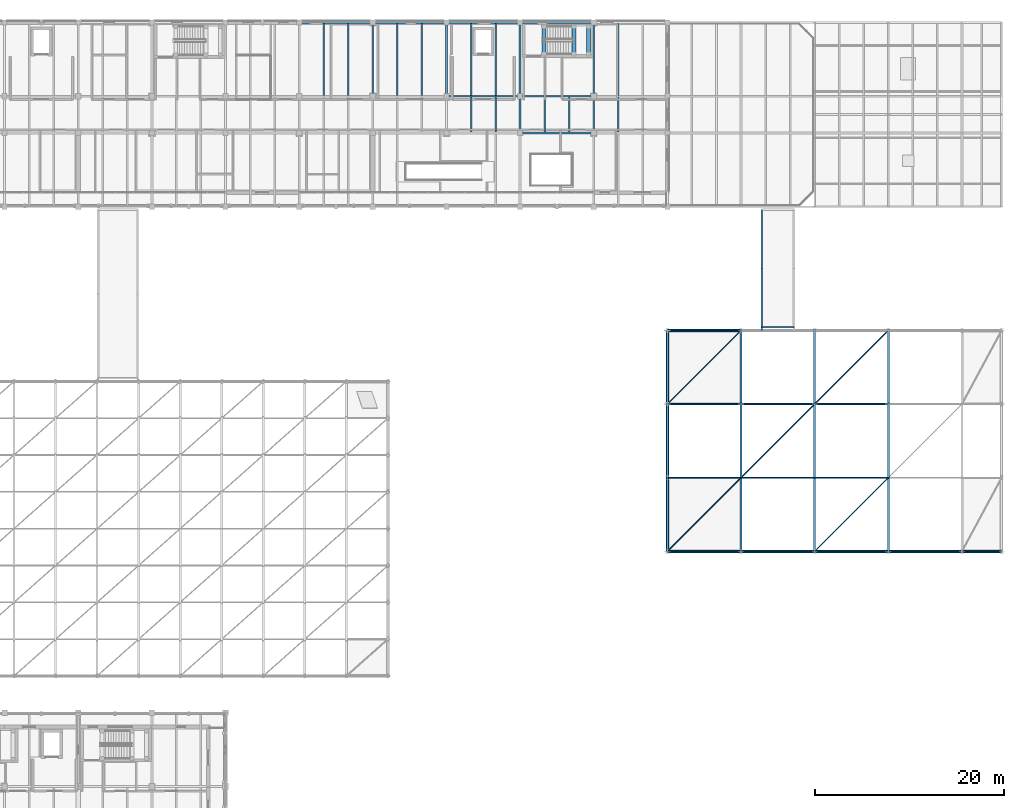
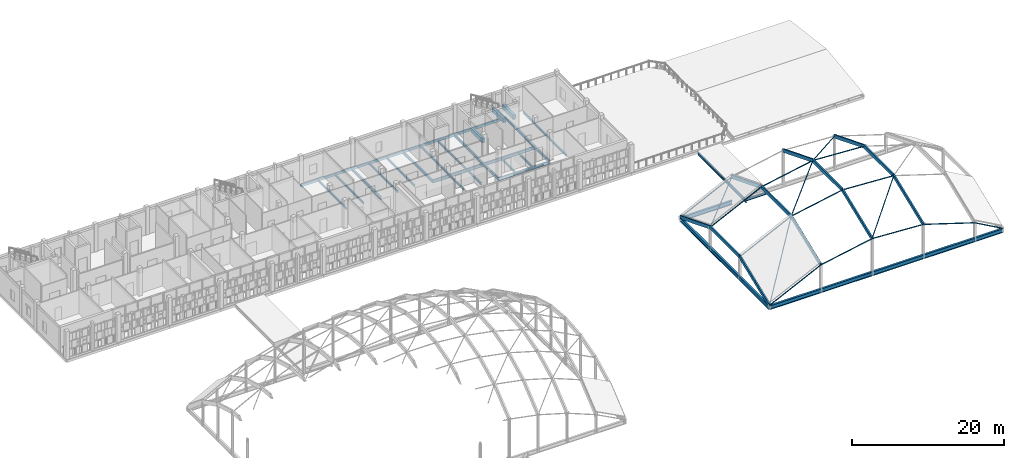
# One storey, part 59 of 119: 40 beams, 29 members.
"""IFC4 building model written with IfcOpenShell, lengths in metres."""

from ifc_helpers import new_model, si_unit, direction, frame, origin, origin_2d, place, context, subcontext, project, spatial, rectangle, hollow_rectangle, hollow_circle, i_section, extrude, material, material_profile, profile_set, type_object, element, save


model = new_model("IFC4")

# Units and contexts
model_context = context("Model", 3, precision=1e-05, world=origin(), true_north=direction((0.0, 1.0)))
body_context = subcontext(model_context, "Body", "Model", "MODEL_VIEW")
ifc_project = project(units=[si_unit("LENGTHUNIT", "METRE"), si_unit("AREAUNIT", "SQUARE_METRE"), si_unit("VOLUMEUNIT", "CUBIC_METRE"), si_unit("PLANEANGLEUNIT", "RADIAN"), si_unit("MASSUNIT", "GRAM", prefix="KILO")], contexts=[model_context])

# Site, building, storey
site_placement = place(None, origin())
site = spatial("IfcSite", under=ifc_project, at=site_placement, CompositionType="ELEMENT")
building_placement = place(site_placement, origin())
building = spatial("IfcBuilding", under=site, at=building_placement, Name="Celorna Specialist Clinic", CompositionType="ELEMENT")
storey_placement = place(building_placement, frame((0.0, 0.0, 9.60009765625)))
storey = spatial("IfcBuildingStorey", under=building, at=storey_placement, Name="L02", CompositionType="ELEMENT", Elevation=9.60009765625)

# Beams
ifc_material_1 = material(Name="Steel S355", Category="steel")
ifc_material_profile_1 = material_profile(ifc_material_1, i_section(OverallWidth=0.300048828125, OverallDepth=0.64990234375, WebThickness=0.01611328125, FlangeThickness=0.031005859375, at=origin_2d()), Name="HE 650 B")
ifc_profile_set_1 = profile_set([ifc_material_profile_1], Name="Steel S355")
beam_type_1 = type_object("IfcBeamType", Name="BM-03", PredefinedType="BEAM", material=ifc_profile_set_1)
beam_1_placement = place(storey_placement, frame((132.60009765625, 60.0, 0.27490234375), z_axis=(1.0, 0.0, 0.0), x_axis=(0.0, 1.0, 0.0)))
element("IfcBeam", 1, at=beam_1_placement, inside=storey, type_object=beam_type_1, Name="GSH-V3 gridshell perimeter edge ring beam", PredefinedType="BEAM", context=body_context, shape_type="SweptSolid", body=[
    extrude(i_section(OverallWidth=0.300048828125, OverallDepth=0.64990234375, WebThickness=0.01611328125, FlangeThickness=0.031005859375, at=origin_2d()), origin(), (0.0, 0.0, 1.0), 7.7998046875),
])
for number, where, z_axis, x_axis, name in (
    (2, (140.39990234375, 60.0, 0.27490234375), (1.0, 0.0, 0.0), (0.0, 1.0, 0.0), "GSH-V3 gridshell perimeter edge ring beam"),
    (3, (148.199951171875, 60.0, 0.27490234375), (1.0, 0.0, 0.0), (0.0, 1.0, 0.0), "GSH-V3 gridshell perimeter edge ring beam"),
    (4, (156.0, 60.0, 0.27490234375), (1.0, 0.0, 0.0), (0.0, 1.0, 0.0), "GSH-V3 gridshell perimeter edge ring beam"),
):
    element("IfcBeam", number, at=place(storey_placement, frame(where, z_axis=z_axis, x_axis=x_axis)), inside=storey, type_object=beam_type_1, Name=name, PredefinedType="BEAM", context=body_context, shape_type="SweptSolid", body=[
        extrude(i_section(OverallWidth=0.300048828125, OverallDepth=0.64990234375, WebThickness=0.01611328125, FlangeThickness=0.031005859375, at=origin_2d()), origin(), (0.0, 0.0, 1.0), 7.800048828125),
    ])
beam_2_placement = place(storey_placement, frame((163.800048828125, 60.0, 0.27490234375), z_axis=(1.0, 0.0, 0.0), x_axis=(0.0, 1.0, 0.0)))
element("IfcBeam", 5, at=beam_2_placement, inside=storey, type_object=beam_type_1, Name="GSH-V3 gridshell perimeter edge ring beam", PredefinedType="BEAM", context=body_context, shape_type="SweptSolid", body=[
    extrude(i_section(OverallWidth=0.300048828125, OverallDepth=0.64990234375, WebThickness=0.01611328125, FlangeThickness=0.031005859375, at=origin_2d()), origin(), (0.0, 0.0, 1.0), 4.199951171875),
])
beam_3_placement = place(storey_placement, frame((132.60009765625, 83.39990234375, 0.27490234375), z_axis=(1.0, 0.0, 0.0), x_axis=(0.0, 1.0, 0.0)))
element("IfcBeam", 6, at=beam_3_placement, inside=storey, type_object=beam_type_1, Name="GSH-V3 gridshell perimeter edge ring beam", PredefinedType="BEAM", context=body_context, shape_type="SweptSolid", body=[
    extrude(i_section(OverallWidth=0.300048828125, OverallDepth=0.64990234375, WebThickness=0.01611328125, FlangeThickness=0.031005859375, at=origin_2d()), origin(), (0.0, 0.0, 1.0), 7.7998046875),
])
for number, where, z_axis, x_axis, name in (
    (7, (132.60009765625, 60.0, 0.27490234375), (0.0, 1.0, 0.0), (-1.0, 0.0, 0.0), "GSH-V3 gridshell perimeter edge ring beam"),
    (8, (132.60009765625, 67.800048828125, 0.27490234375), (0.0, 1.0, 0.0), (-1.0, 0.0, 0.0), "GSH-V3 gridshell perimeter edge ring beam"),
):
    element("IfcBeam", number, at=place(storey_placement, frame(where, z_axis=z_axis, x_axis=x_axis)), inside=storey, type_object=beam_type_1, Name=name, PredefinedType="BEAM", context=body_context, shape_type="SweptSolid", body=[
        extrude(i_section(OverallWidth=0.300048828125, OverallDepth=0.64990234375, WebThickness=0.01611328125, FlangeThickness=0.031005859375, at=origin_2d()), origin(), (0.0, 0.0, 1.0), 7.800048828125),
    ])
beam_4_placement = place(storey_placement, frame((132.60009765625, 75.60009765625, 0.27490234375), z_axis=(0.0, 1.0, 0.0), x_axis=(-1.0, 0.0, 0.0)))
element("IfcBeam", 9, at=beam_4_placement, inside=storey, type_object=beam_type_1, Name="GSH-V3 gridshell perimeter edge ring beam", PredefinedType="BEAM", context=body_context, shape_type="SweptSolid", body=[
    extrude(i_section(OverallWidth=0.300048828125, OverallDepth=0.64990234375, WebThickness=0.01611328125, FlangeThickness=0.031005859375, at=origin_2d()), origin(), (0.0, 0.0, 1.0), 7.7998046875),
])
ifc_material_profile_2 = material_profile(ifc_material_1, i_section(OverallWidth=0.199951171875, OverallDepth=0.5, WebThickness=0.01025390625, FlangeThickness=0.01611328125, at=origin_2d()), Name="IPE 500")
ifc_profile_set_2 = profile_set([ifc_material_profile_2], Name="Steel S355")
beam_type_2 = type_object("IfcBeamType", Name="BM-08", PredefinedType="BEAM", material=ifc_profile_set_2)
for number, where, z_axis, x_axis, name in (
    (10, (117.0, 104.300048828125, -0.510009765625), (1.0, 0.0, 0.0), (0.0, 1.0, 0.0), "Primary girder BM-08 #1086"),
    (11, (109.199951171875, 108.199951171875, -0.510009765625), (1.0, 0.0, 0.0), (0.0, 1.0, 0.0), "Primary girder BM-08 #1096"),
    (12, (117.0, 108.199951171875, -0.510009765625), (1.0, 0.0, 0.0), (0.0, 1.0, 0.0), "Primary girder BM-08 #1097"),
):
    element("IfcBeam", number, at=place(storey_placement, frame(where, z_axis=z_axis, x_axis=x_axis)), inside=storey, type_object=beam_type_2, Name=name, PredefinedType="BEAM", context=body_context, shape_type="SweptSolid", body=[
        extrude(i_section(OverallWidth=0.199951171875, OverallDepth=0.5, WebThickness=0.01025390625, FlangeThickness=0.01611328125, at=origin_2d()), origin(), (0.0, 0.0, 1.0), 7.800048828125),
    ])
ifc_material_profile_3 = material_profile(ifc_material_1, i_section(OverallWidth=0.18994140625, OverallDepth=0.449951171875, WebThickness=0.009521484375, FlangeThickness=0.0146484375, at=origin_2d()), Name="IPE 450")
ifc_profile_set_3 = profile_set([ifc_material_profile_3], Name="Steel S355")
beam_type_3 = type_object("IfcBeamType", Name="BM-09", PredefinedType="BEAM", material=ifc_profile_set_3)
beam_5_placement = place(storey_placement, frame((142.60009765625, 83.39990234375, -0.364990234375), z_axis=(0.0, 1.0, 0.0), x_axis=(-1.0, 0.0, 0.0)))
element("IfcBeam", 13, at=beam_5_placement, inside=storey, type_object=beam_type_3, Name="Bridge BR-05 edge girder BM-09 #122", PredefinedType="BEAM", context=body_context, shape_type="SweptSolid", body=[
    extrude(i_section(OverallWidth=0.18994140625, OverallDepth=0.449951171875, WebThickness=0.009521484375, FlangeThickness=0.0146484375, at=origin_2d()), origin(), (0.0, 0.0, 1.0), 6.550048828125),
])
beam_6_placement = place(storey_placement, frame((142.60009765625, 89.949951171875, -0.364990234375), z_axis=(0.0, 1.0, 0.0), x_axis=(-1.0, 0.0, 0.0)))
element("IfcBeam", 14, at=beam_6_placement, inside=storey, type_object=beam_type_3, Name="Bridge BR-05 edge girder BM-09 #123", PredefinedType="BEAM", context=body_context, shape_type="SweptSolid", body=[
    extrude(i_section(OverallWidth=0.18994140625, OverallDepth=0.449951171875, WebThickness=0.009521484375, FlangeThickness=0.0146484375, at=origin_2d()), origin(), (0.0, 0.0, 1.0), 6.25),
])
for number, where, z_axis, x_axis, name in (
    (15, (101.39990234375, 108.199951171875, -0.485107421875), (0.0, 1.0, 0.0), (-1.0, 0.0, 0.0), "Transverse girder BM-09 #1133"),
    (16, (109.199951171875, 108.199951171875, -0.485107421875), (0.0, 1.0, 0.0), (-1.0, 0.0, 0.0), "Transverse girder BM-09 #1135"),
):
    element("IfcBeam", number, at=place(storey_placement, frame(where, z_axis=z_axis, x_axis=x_axis)), inside=storey, type_object=beam_type_3, Name=name, PredefinedType="BEAM", context=body_context, shape_type="SweptSolid", body=[
        extrude(i_section(OverallWidth=0.18994140625, OverallDepth=0.449951171875, WebThickness=0.009521484375, FlangeThickness=0.0146484375, at=origin_2d()), origin(), (0.0, 0.0, 1.0), 7.800048828125),
    ])
beam_7_placement = place(storey_placement, frame((117.0, 104.300048828125, -0.485107421875), z_axis=(0.0, 1.0, 0.0), x_axis=(-1.0, 0.0, 0.0)))
element("IfcBeam", 17, at=beam_7_placement, inside=storey, type_object=beam_type_3, Name="Transverse girder BM-09 #1137", PredefinedType="BEAM", context=body_context, shape_type="SweptSolid", body=[
    extrude(i_section(OverallWidth=0.18994140625, OverallDepth=0.449951171875, WebThickness=0.009521484375, FlangeThickness=0.0146484375, at=origin_2d()), origin(), (0.0, 0.0, 1.0), 3.89990234375),
])
beam_8_placement = place(storey_placement, frame((117.0, 108.199951171875, -0.485107421875), z_axis=(0.0, 1.0, 0.0), x_axis=(-1.0, 0.0, 0.0)))
element("IfcBeam", 18, at=beam_8_placement, inside=storey, type_object=beam_type_3, Name="Transverse girder BM-09 #1138", PredefinedType="BEAM", context=body_context, shape_type="SweptSolid", body=[
    extrude(i_section(OverallWidth=0.18994140625, OverallDepth=0.449951171875, WebThickness=0.009521484375, FlangeThickness=0.0146484375, at=origin_2d()), origin(), (0.0, 0.0, 1.0), 7.800048828125),
])
beam_9_placement = place(storey_placement, frame((124.800048828125, 104.300048828125, -0.485107421875), z_axis=(0.0, 1.0, 0.0), x_axis=(-1.0, 0.0, 0.0)))
element("IfcBeam", 19, at=beam_9_placement, inside=storey, type_object=beam_type_3, Name="Transverse girder BM-09 #1140", PredefinedType="BEAM", context=body_context, shape_type="SweptSolid", body=[
    extrude(i_section(OverallWidth=0.18994140625, OverallDepth=0.449951171875, WebThickness=0.009521484375, FlangeThickness=0.0146484375, at=origin_2d()), origin(), (0.0, 0.0, 1.0), 3.89990234375),
])
beam_10_placement = place(storey_placement, frame((124.800048828125, 108.199951171875, -0.485107421875), z_axis=(0.0, 1.0, 0.0), x_axis=(-1.0, 0.0, 0.0)))
element("IfcBeam", 20, at=beam_10_placement, inside=storey, type_object=beam_type_3, Name="Transverse girder BM-09 #1141", PredefinedType="BEAM", context=body_context, shape_type="SweptSolid", body=[
    extrude(i_section(OverallWidth=0.18994140625, OverallDepth=0.449951171875, WebThickness=0.009521484375, FlangeThickness=0.0146484375, at=origin_2d()), origin(), (0.0, 0.0, 1.0), 7.800048828125),
])
ifc_material_profile_4 = material_profile(ifc_material_1, i_section(OverallWidth=0.179931640625, OverallDepth=0.39990234375, WebThickness=0.008544921875, FlangeThickness=0.013427734375, at=origin_2d()), Name="IPE 400")
ifc_profile_set_4 = profile_set([ifc_material_profile_4], Name="Steel S355")
beam_type_4 = type_object("IfcBeamType", Name="BM-10", PredefinedType="BEAM", material=ifc_profile_set_4)
beam_11_placement = place(storey_placement, frame((142.60009765625, 83.719970703125, -0.340087890625), z_axis=(1.0, 0.0, 0.0), x_axis=(0.0, 1.0, 0.0)))
element("IfcBeam", 21, at=beam_11_placement, inside=storey, type_object=beam_type_4, Name="Bridge BR-05 transverse beam BM-10 #126", PredefinedType="BEAM", context=body_context, shape_type="SweptSolid", body=[
    extrude(i_section(OverallWidth=0.179931640625, OverallDepth=0.39990234375, WebThickness=0.008544921875, FlangeThickness=0.013427734375, at=origin_2d()), origin(), (0.0, 0.0, 1.0), 3.39990234375),
])
ifc_material_profile_5 = material_profile(ifc_material_1, i_section(OverallWidth=0.159912109375, OverallDepth=0.330078125, WebThickness=0.007568359375, FlangeThickness=0.011474609375, at=origin_2d()), Name="IPE 330")
ifc_profile_set_5 = profile_set([ifc_material_profile_5], Name="Steel S355")
beam_type_5 = type_object("IfcBeamType", Name="BM-12", PredefinedType="JOIST", material=ifc_profile_set_5)
for number, where, z_axis, x_axis, name in (
    (22, (96.199951171875, 108.2880859375, -0.425048828125), (0.0, 1.0, 0.0), (-1.0, 0.0, 0.0), "Secondary floor joist BM-12 #1181"),
    (23, (98.800048828125, 108.2880859375, -0.425048828125), (0.0, 1.0, 0.0), (-1.0, 0.0, 0.0), "Secondary floor joist BM-12 #1182"),
    (24, (104.0, 108.2880859375, -0.425048828125), (0.0, 1.0, 0.0), (-1.0, 0.0, 0.0), "Secondary floor joist BM-12 #1186"),
    (25, (106.60009765625, 108.2880859375, -0.425048828125), (0.0, 1.0, 0.0), (-1.0, 0.0, 0.0), "Secondary floor joist BM-12 #1187"),
):
    element("IfcBeam", number, at=place(storey_placement, frame(where, z_axis=z_axis, x_axis=x_axis)), inside=storey, type_object=beam_type_5, Name=name, PredefinedType="JOIST", context=body_context, shape_type="SweptSolid", body=[
        extrude(i_section(OverallWidth=0.159912109375, OverallDepth=0.330078125, WebThickness=0.007568359375, FlangeThickness=0.011474609375, at=origin_2d()), origin(), (0.0, 0.0, 1.0), 7.6240234375),
    ])
for number, where, z_axis, x_axis, name in (
    (26, (111.800048828125, 104.387939453125, -0.425048828125), (0.0, 1.0, 0.0), (-1.0, 0.0, 0.0), "Secondary floor joist BM-12 #1189"),
    (27, (114.39990234375, 104.387939453125, -0.425048828125), (0.0, 1.0, 0.0), (-1.0, 0.0, 0.0), "Secondary floor joist BM-12 #1190"),
):
    element("IfcBeam", number, at=place(storey_placement, frame(where, z_axis=z_axis, x_axis=x_axis)), inside=storey, type_object=beam_type_5, Name=name, PredefinedType="JOIST", context=body_context, shape_type="SweptSolid", body=[
        extrude(i_section(OverallWidth=0.159912109375, OverallDepth=0.330078125, WebThickness=0.007568359375, FlangeThickness=0.011474609375, at=origin_2d()), origin(), (0.0, 0.0, 1.0), 3.72412109375),
    ])
for number, where, z_axis, x_axis, name in (
    (28, (111.800048828125, 108.2880859375, -0.425048828125), (0.0, 1.0, 0.0), (-1.0, 0.0, 0.0), "Secondary floor joist BM-12 #1191"),
    (29, (114.39990234375, 108.2880859375, -0.425048828125), (0.0, 1.0, 0.0), (-1.0, 0.0, 0.0), "Secondary floor joist BM-12 #1192"),
):
    element("IfcBeam", number, at=place(storey_placement, frame(where, z_axis=z_axis, x_axis=x_axis)), inside=storey, type_object=beam_type_5, Name=name, PredefinedType="JOIST", context=body_context, shape_type="SweptSolid", body=[
        extrude(i_section(OverallWidth=0.159912109375, OverallDepth=0.330078125, WebThickness=0.007568359375, FlangeThickness=0.011474609375, at=origin_2d()), origin(), (0.0, 0.0, 1.0), 7.6240234375),
    ])
for number, where, z_axis, x_axis, name in (
    (30, (119.60009765625, 104.387939453125, -0.425048828125), (0.0, 1.0, 0.0), (-1.0, 0.0, 0.0), "Secondary floor joist BM-12 #1193"),
    (31, (122.199951171875, 104.387939453125, -0.425048828125), (0.0, 1.0, 0.0), (-1.0, 0.0, 0.0), "Secondary floor joist BM-12 #1194"),
    (32, (127.39990234375, 104.387939453125, -0.425048828125), (0.0, 1.0, 0.0), (-1.0, 0.0, 0.0), "Secondary floor joist BM-12 #1197"),
):
    element("IfcBeam", number, at=place(storey_placement, frame(where, z_axis=z_axis, x_axis=x_axis)), inside=storey, type_object=beam_type_5, Name=name, PredefinedType="JOIST", context=body_context, shape_type="SweptSolid", body=[
        extrude(i_section(OverallWidth=0.159912109375, OverallDepth=0.330078125, WebThickness=0.007568359375, FlangeThickness=0.011474609375, at=origin_2d()), origin(), (0.0, 0.0, 1.0), 3.72412109375),
    ])
beam_12_placement = place(storey_placement, frame((127.39990234375, 108.2880859375, -0.425048828125), z_axis=(0.0, 1.0, 0.0), x_axis=(-1.0, 0.0, 0.0)))
element("IfcBeam", 33, at=beam_12_placement, inside=storey, type_object=beam_type_5, Name="Secondary floor joist BM-12 #1199", PredefinedType="JOIST", context=body_context, shape_type="SweptSolid", body=[
    extrude(i_section(OverallWidth=0.159912109375, OverallDepth=0.330078125, WebThickness=0.007568359375, FlangeThickness=0.011474609375, at=origin_2d()), origin(), (0.0, 0.0, 1.0), 7.6240234375),
])
ifc_material_profile_6 = material_profile(ifc_material_1, hollow_rectangle(XDim=0.199951171875, YDim=0.39990234375, WallThickness=0.011962890625, at=origin_2d()), Name="RHS 200x400x12")
ifc_profile_set_6 = profile_set([ifc_material_profile_6], Name="Steel S355")
beam_type_6 = type_object("IfcBeamType", Name="BM-15", PredefinedType="SPANDREL", material=ifc_profile_set_6)
beam_13_placement = place(storey_placement, frame((93.60009765625, 116.0, -0.460205078125), z_axis=(1.0, 0.0, 0.0), x_axis=(0.0, 1.0, 0.0)))
element("IfcBeam", 34, at=beam_13_placement, inside=storey, type_object=beam_type_6, Name="Spandrel beam BM-15 #1105", PredefinedType="SPANDREL", context=body_context, shape_type="SweptSolid", body=[
    extrude(hollow_rectangle(XDim=0.199951171875, YDim=0.39990234375, WallThickness=0.011962890625, at=origin_2d()), origin(), (0.0, 0.0, 1.0), 7.7998046875),
])
for number, where, z_axis, x_axis, name in (
    (35, (101.39990234375, 116.0, -0.460205078125), (1.0, 0.0, 0.0), (0.0, 1.0, 0.0), "Spandrel beam BM-15 #1106"),
    (36, (109.199951171875, 116.0, -0.460205078125), (1.0, 0.0, 0.0), (0.0, 1.0, 0.0), "Spandrel beam BM-15 #1107"),
    (37, (117.0, 116.0, -0.460205078125), (1.0, 0.0, 0.0), (0.0, 1.0, 0.0), "Spandrel beam BM-15 #1108"),
):
    element("IfcBeam", number, at=place(storey_placement, frame(where, z_axis=z_axis, x_axis=x_axis)), inside=storey, type_object=beam_type_6, Name=name, PredefinedType="SPANDREL", context=body_context, shape_type="SweptSolid", body=[
        extrude(hollow_rectangle(XDim=0.199951171875, YDim=0.39990234375, WallThickness=0.011962890625, at=origin_2d()), origin(), (0.0, 0.0, 1.0), 7.800048828125),
    ])
ifc_material_2 = material(Name="Concrete C35/45", Category="concrete")
ifc_material_profile_7 = material_profile(ifc_material_2, rectangle(XDim=0.39990234375, YDim=0.699951171875, at=origin_2d()), Name="RC 400x700")
ifc_profile_set_7 = profile_set([ifc_material_profile_7], Name="Concrete C35/45")
beam_type_7 = type_object("IfcBeamType", Name="BM-19", PredefinedType="BEAM", material=ifc_profile_set_7)
for number, where, z_axis, x_axis, name in (
    (38, (119.52001953125, 112.669921875, -0.275146484375), (0.0, 1.0, 0.0), (-1.0, 0.0, 0.0), "Stair ST-03 floor landing trimmer beam L02"),
    (39, (122.719970703125, 112.669921875, 1.824951171875), (0.0, 1.0, 0.0), (-1.0, 0.0, 0.0), "Stair ST-03 half-landing beam L02"),
    (40, (124.239990234375, 112.669921875, 1.824951171875), (0.0, 1.0, 0.0), (-1.0, 0.0, 0.0), "Stair ST-03 half-landing beam L02"),
):
    element("IfcBeam", number, at=place(storey_placement, frame(where, z_axis=z_axis, x_axis=x_axis)), inside=storey, type_object=beam_type_7, Name=name, PredefinedType="BEAM", context=body_context, shape_type="SweptSolid", body=[
        extrude(rectangle(XDim=0.39990234375, YDim=0.699951171875, at=origin_2d()), origin(), (0.0, 0.0, 1.0), 2.900146484375),
    ])

# Members
ifc_material_3 = material(Name="Glulam GL28h", Category="wood")
ifc_material_profile_8 = material_profile(ifc_material_3, rectangle(XDim=0.219970703125, YDim=0.52001953125, at=origin_2d()), Name="GL28h 220x520")
ifc_profile_set_8 = profile_set([ifc_material_profile_8], Name="Glulam GL28h")
member_type_1 = type_object("IfcMemberType", Name="MB-02", PredefinedType="RAFTER", material=ifc_profile_set_8)
member_1_placement = place(storey_placement, frame((132.60009765625, 60.0, 0.599853515625), z_axis=(0.0, 0.92906313659, 0.369921191917), x_axis=(-1.0, 0.0, 0.0)))
element("IfcMember", 41, at=member_1_placement, inside=storey, type_object=member_type_1, Name="GSH-V3 glulam gridshell arch rib WP-233-WP-245", PredefinedType="RAFTER", context=body_context, shape_type="SweptSolid", body=[
    extrude(rectangle(XDim=0.219970703125, YDim=0.52001953125, at=origin_2d()), origin(), (0.0, 0.0, 1.0), 8.3955078125),
])
member_2_placement = place(storey_placement, frame((132.60009765625, 67.800048828125, 3.70556640625), z_axis=(0.0, 1.0, 0.0), x_axis=(-1.0, 0.0, 0.0)))
element("IfcMember", 42, at=member_2_placement, inside=storey, type_object=member_type_1, Name="GSH-V3 glulam gridshell arch rib WP-245-WP-246", PredefinedType="RAFTER", context=body_context, shape_type="SweptSolid", body=[
    extrude(rectangle(XDim=0.219970703125, YDim=0.52001953125, at=origin_2d()), origin(), (0.0, 0.0, 1.0), 7.800048828125),
])
member_3_placement = place(storey_placement, frame((132.60009765625, 75.60009765625, 3.70556640625), z_axis=(0.0, 0.929059157132, -0.369931186236), x_axis=(-1.0, 0.0, 0.0)))
element("IfcMember", 43, at=member_3_placement, inside=storey, type_object=member_type_1, Name="GSH-V3 glulam gridshell arch rib WP-246-WP-239", PredefinedType="RAFTER", context=body_context, shape_type="SweptSolid", body=[
    extrude(rectangle(XDim=0.219970703125, YDim=0.52001953125, at=origin_2d()), origin(), (0.0, 0.0, 1.0), 8.395263671875),
])
member_4_placement = place(storey_placement, frame((140.39990234375, 60.0, 4.368408203125), z_axis=(0.0, 0.92906313659, 0.369921191917), x_axis=(-1.0, 0.0, 0.0)))
element("IfcMember", 44, at=member_4_placement, inside=storey, type_object=member_type_1, Name="GSH-V3 glulam gridshell arch rib WP-234-WP-247", PredefinedType="RAFTER", context=body_context, shape_type="SweptSolid", body=[
    extrude(rectangle(XDim=0.219970703125, YDim=0.52001953125, at=origin_2d()), origin(), (0.0, 0.0, 1.0), 8.3955078125),
])
member_5_placement = place(storey_placement, frame((140.39990234375, 67.800048828125, 7.47412109375), z_axis=(0.0, 1.0, 0.0), x_axis=(-1.0, 0.0, 0.0)))
element("IfcMember", 45, at=member_5_placement, inside=storey, type_object=member_type_1, Name="GSH-V3 glulam gridshell arch rib WP-247-WP-248", PredefinedType="RAFTER", context=body_context, shape_type="SweptSolid", body=[
    extrude(rectangle(XDim=0.219970703125, YDim=0.52001953125, at=origin_2d()), origin(), (0.0, 0.0, 1.0), 7.800048828125),
])
member_6_placement = place(storey_placement, frame((140.39990234375, 75.60009765625, 7.47412109375), z_axis=(0.0, 0.929059157132, -0.369931186236), x_axis=(-1.0, 0.0, 0.0)))
element("IfcMember", 46, at=member_6_placement, inside=storey, type_object=member_type_1, Name="GSH-V3 glulam gridshell arch rib WP-248-WP-240", PredefinedType="RAFTER", context=body_context, shape_type="SweptSolid", body=[
    extrude(rectangle(XDim=0.219970703125, YDim=0.52001953125, at=origin_2d()), origin(), (0.0, 0.0, 1.0), 8.395263671875),
])
member_7_placement = place(storey_placement, frame((148.199951171875, 60.0, 5.86865234375), z_axis=(0.0, 0.92906313659, 0.369921191917), x_axis=(-1.0, 0.0, 0.0)))
element("IfcMember", 47, at=member_7_placement, inside=storey, type_object=member_type_1, Name="GSH-V3 glulam gridshell arch rib WP-235-WP-249", PredefinedType="RAFTER", context=body_context, shape_type="SweptSolid", body=[
    extrude(rectangle(XDim=0.219970703125, YDim=0.52001953125, at=origin_2d()), origin(), (0.0, 0.0, 1.0), 8.3955078125),
])
member_8_placement = place(storey_placement, frame((148.199951171875, 67.800048828125, 8.974365234375), z_axis=(0.0, 1.0, 0.0), x_axis=(-1.0, 0.0, 0.0)))
element("IfcMember", 48, at=member_8_placement, inside=storey, type_object=member_type_1, Name="GSH-V3 glulam gridshell arch rib WP-249-WP-250", PredefinedType="RAFTER", context=body_context, shape_type="SweptSolid", body=[
    extrude(rectangle(XDim=0.219970703125, YDim=0.52001953125, at=origin_2d()), origin(), (0.0, 0.0, 1.0), 7.800048828125),
])
member_9_placement = place(storey_placement, frame((148.199951171875, 75.60009765625, 8.974365234375), z_axis=(0.0, 0.929059157132, -0.369931186236), x_axis=(-1.0, 0.0, 0.0)))
element("IfcMember", 49, at=member_9_placement, inside=storey, type_object=member_type_1, Name="GSH-V3 glulam gridshell arch rib WP-250-WP-241", PredefinedType="RAFTER", context=body_context, shape_type="SweptSolid", body=[
    extrude(rectangle(XDim=0.219970703125, YDim=0.52001953125, at=origin_2d()), origin(), (0.0, 0.0, 1.0), 8.395263671875),
])
member_10_placement = place(storey_placement, frame((156.0, 60.0, 5.426025390625), z_axis=(0.0, 0.92906313659, 0.369921191917), x_axis=(-1.0, 0.0, 0.0)))
element("IfcMember", 50, at=member_10_placement, inside=storey, type_object=member_type_1, Name="GSH-V3 glulam gridshell arch rib WP-236-WP-251", PredefinedType="RAFTER", context=body_context, shape_type="SweptSolid", body=[
    extrude(rectangle(XDim=0.219970703125, YDim=0.52001953125, at=origin_2d()), origin(), (0.0, 0.0, 1.0), 8.3955078125),
])
member_11_placement = place(storey_placement, frame((156.0, 67.800048828125, 8.53173828125), z_axis=(0.0, 1.0, 0.0), x_axis=(-1.0, 0.0, 0.0)))
element("IfcMember", 51, at=member_11_placement, inside=storey, type_object=member_type_1, Name="GSH-V3 glulam gridshell arch rib WP-251-WP-252", PredefinedType="RAFTER", context=body_context, shape_type="SweptSolid", body=[
    extrude(rectangle(XDim=0.219970703125, YDim=0.52001953125, at=origin_2d()), origin(), (0.0, 0.0, 1.0), 7.800048828125),
])
member_12_placement = place(storey_placement, frame((156.0, 75.60009765625, 8.53173828125), z_axis=(0.0, 0.929059157132, -0.369931186236), x_axis=(-1.0, 0.0, 0.0)))
element("IfcMember", 52, at=member_12_placement, inside=storey, type_object=member_type_1, Name="GSH-V3 glulam gridshell arch rib WP-252-WP-242", PredefinedType="RAFTER", context=body_context, shape_type="SweptSolid", body=[
    extrude(rectangle(XDim=0.219970703125, YDim=0.52001953125, at=origin_2d()), origin(), (0.0, 0.0, 1.0), 8.395263671875),
])
ifc_material_profile_9 = material_profile(ifc_material_1, hollow_circle(Radius=0.084228515625, WallThickness=0.010009765625, at=origin_2d()), Name="CHS 168.3x10")
ifc_profile_set_9 = profile_set([ifc_material_profile_9], Name="Steel S355")
member_type_2 = type_object("IfcMemberType", Name="MB-03", PredefinedType="PURLIN", material=ifc_profile_set_9)
member_13_placement = place(storey_placement, frame((132.60009765625, 60.0, 0.599853515625), z_axis=(0.90041004548, 0.0, 0.435042239327), x_axis=(0.0, 1.0, 0.0)))
element("IfcMember", 53, at=member_13_placement, inside=storey, type_object=member_type_2, Name="GSH-V3 gridshell edge arch chord WP-233-WP-234", PredefinedType="PURLIN", context=body_context, shape_type="SweptSolid", body=[
    extrude(hollow_circle(Radius=0.084228515625, WallThickness=0.010009765625, at=origin_2d()), origin(), (0.0, 0.0, 1.0), 8.66259765625),
])
member_14_placement = place(storey_placement, frame((140.39990234375, 60.0, 4.368408203125), z_axis=(0.982000965733, 0.0, 0.188875893907), x_axis=(0.0, 1.0, 0.0)))
element("IfcMember", 54, at=member_14_placement, inside=storey, type_object=member_type_2, Name="GSH-V3 gridshell edge arch chord WP-234-WP-235", PredefinedType="PURLIN", context=body_context, shape_type="SweptSolid", body=[
    extrude(hollow_circle(Radius=0.084228515625, WallThickness=0.010009765625, at=origin_2d()), origin(), (0.0, 0.0, 1.0), 7.943115234375),
])
member_15_placement = place(storey_placement, frame((148.199951171875, 60.0, 5.86865234375), z_axis=(0.99839378478, 0.0, -0.05665554264), x_axis=(0.0, 1.0, 0.0)))
element("IfcMember", 55, at=member_15_placement, inside=storey, type_object=member_type_2, Name="GSH-V3 gridshell edge arch chord WP-235-WP-236", PredefinedType="PURLIN", context=body_context, shape_type="SweptSolid", body=[
    extrude(hollow_circle(Radius=0.084228515625, WallThickness=0.010009765625, at=origin_2d()), origin(), (0.0, 0.0, 1.0), 7.8125),
])
member_16_placement = place(storey_placement, frame((156.0, 60.0, 5.426025390625), z_axis=(0.953206314855, 0.0, -0.302320560532), x_axis=(0.0, 1.0, 0.0)))
element("IfcMember", 56, at=member_16_placement, inside=storey, type_object=member_type_2, Name="GSH-V3 gridshell edge arch chord WP-236-WP-237", PredefinedType="PURLIN", context=body_context, shape_type="SweptSolid", body=[
    extrude(hollow_circle(Radius=0.084228515625, WallThickness=0.010009765625, at=origin_2d()), origin(), (0.0, 0.0, 1.0), 8.182861328125),
])
member_17_placement = place(storey_placement, frame((163.800048828125, 60.0, 2.9521484375), z_axis=(0.872477474798, 0.0, -0.488654331784), x_axis=(0.0, 1.0, 0.0)))
element("IfcMember", 57, at=member_17_placement, inside=storey, type_object=member_type_2, Name="GSH-V3 gridshell edge arch chord WP-237-WP-238", PredefinedType="PURLIN", context=body_context, shape_type="SweptSolid", body=[
    extrude(hollow_circle(Radius=0.084228515625, WallThickness=0.010009765625, at=origin_2d()), origin(), (0.0, 0.0, 1.0), 4.813720703125),
])
for number, where, z_axis, x_axis, name in (
    (58, (132.60009765625, 83.39990234375, 0.599853515625), (0.90041004548, 0.0, 0.435042239327), (0.0, 1.0, 0.0), "GSH-V3 gridshell edge arch chord WP-239-WP-240"),
    (59, (132.60009765625, 67.800048828125, 3.70556640625), (0.90041004548, 0.0, 0.435042239327), (0.0, 1.0, 0.0), "GSH-V3 gridshell steel purlin WP-245-WP-247"),
):
    element("IfcMember", number, at=place(storey_placement, frame(where, z_axis=z_axis, x_axis=x_axis)), inside=storey, type_object=member_type_2, Name=name, PredefinedType="PURLIN", context=body_context, shape_type="SweptSolid", body=[
        extrude(hollow_circle(Radius=0.084228515625, WallThickness=0.010009765625, at=origin_2d()), origin(), (0.0, 0.0, 1.0), 8.66259765625),
    ])
member_18_placement = place(storey_placement, frame((140.39990234375, 67.800048828125, 7.47412109375), z_axis=(0.982000965733, 0.0, 0.188875893907), x_axis=(0.0, 1.0, 0.0)))
element("IfcMember", 60, at=member_18_placement, inside=storey, type_object=member_type_2, Name="GSH-V3 gridshell steel purlin WP-247-WP-249", PredefinedType="PURLIN", context=body_context, shape_type="SweptSolid", body=[
    extrude(hollow_circle(Radius=0.084228515625, WallThickness=0.010009765625, at=origin_2d()), origin(), (0.0, 0.0, 1.0), 7.943115234375),
])
member_19_placement = place(storey_placement, frame((148.199951171875, 67.800048828125, 8.974365234375), z_axis=(0.99839378478, 0.0, -0.05665554264), x_axis=(0.0, 1.0, 0.0)))
element("IfcMember", 61, at=member_19_placement, inside=storey, type_object=member_type_2, Name="GSH-V3 gridshell steel purlin WP-249-WP-251", PredefinedType="PURLIN", context=body_context, shape_type="SweptSolid", body=[
    extrude(hollow_circle(Radius=0.084228515625, WallThickness=0.010009765625, at=origin_2d()), origin(), (0.0, 0.0, 1.0), 7.8125),
])
member_20_placement = place(storey_placement, frame((132.60009765625, 75.60009765625, 3.70556640625), z_axis=(0.90041004548, 0.0, 0.435042239327), x_axis=(0.0, 1.0, 0.0)))
element("IfcMember", 62, at=member_20_placement, inside=storey, type_object=member_type_2, Name="GSH-V3 gridshell steel purlin WP-246-WP-248", PredefinedType="PURLIN", context=body_context, shape_type="SweptSolid", body=[
    extrude(hollow_circle(Radius=0.084228515625, WallThickness=0.010009765625, at=origin_2d()), origin(), (0.0, 0.0, 1.0), 8.66259765625),
])
member_21_placement = place(storey_placement, frame((140.39990234375, 75.60009765625, 7.47412109375), z_axis=(0.982000965733, 0.0, 0.188875893907), x_axis=(0.0, 1.0, 0.0)))
element("IfcMember", 63, at=member_21_placement, inside=storey, type_object=member_type_2, Name="GSH-V3 gridshell steel purlin WP-248-WP-250", PredefinedType="PURLIN", context=body_context, shape_type="SweptSolid", body=[
    extrude(hollow_circle(Radius=0.084228515625, WallThickness=0.010009765625, at=origin_2d()), origin(), (0.0, 0.0, 1.0), 7.943115234375),
])
member_22_placement = place(storey_placement, frame((148.199951171875, 75.60009765625, 8.974365234375), z_axis=(0.99839378478, 0.0, -0.05665554264), x_axis=(0.0, 1.0, 0.0)))
element("IfcMember", 64, at=member_22_placement, inside=storey, type_object=member_type_2, Name="GSH-V3 gridshell steel purlin WP-250-WP-252", PredefinedType="PURLIN", context=body_context, shape_type="SweptSolid", body=[
    extrude(hollow_circle(Radius=0.084228515625, WallThickness=0.010009765625, at=origin_2d()), origin(), (0.0, 0.0, 1.0), 7.8125),
])
ifc_material_profile_10 = material_profile(ifc_material_1, hollow_circle(Radius=0.06982421875, WallThickness=0.008056640625, at=origin_2d()), Name="CHS 139.7x8")
ifc_profile_set_10 = profile_set([ifc_material_profile_10], Name="Steel S355")
member_type_3 = type_object("IfcMemberType", Name="MB-08", PredefinedType="BRACE", material=ifc_profile_set_10)
member_23_placement = place(storey_placement, frame((132.60009765625, 60.0, 0.599853515625), z_axis=(0.600103464382, 0.600122248139, 0.5288942421), x_axis=(-0.707117847453, 0.707095714747, 0.0)))
element("IfcMember", 65, at=member_23_placement, inside=storey, type_object=member_type_3, Name="GSH-V3 gridshell shell brace WP-233-WP-247", PredefinedType="BRACE", context=body_context, shape_type="SweptSolid", body=[
    extrude(hollow_circle(Radius=0.06982421875, WallThickness=0.008056640625, at=origin_2d()), origin(), (0.0, 0.0, 1.0), 12.997314453125),
])
member_24_placement = place(storey_placement, frame((132.60009765625, 75.60009765625, 3.70556640625), z_axis=(0.705833562203, 0.705833562203, 0.059983038731), x_axis=(-0.707106781187, 0.707106781187, 0.0)))
element("IfcMember", 66, at=member_24_placement, inside=storey, type_object=member_type_3, Name="GSH-V3 gridshell shell brace WP-246-WP-240", PredefinedType="BRACE", context=body_context, shape_type="SweptSolid", body=[
    extrude(hollow_circle(Radius=0.06982421875, WallThickness=0.008056640625, at=origin_2d()), origin(), (0.0, 0.0, 1.0), 11.050537109375),
])
member_25_placement = place(storey_placement, frame((140.39990234375, 67.800048828125, 7.47412109375), z_axis=(0.700656481391, 0.700656481391, 0.134762718024), x_axis=(-0.707106781187, 0.707106781187, 0.0)))
element("IfcMember", 67, at=member_25_placement, inside=storey, type_object=member_type_3, Name="GSH-V3 gridshell shell brace WP-247-WP-250", PredefinedType="BRACE", context=body_context, shape_type="SweptSolid", body=[
    extrude(hollow_circle(Radius=0.06982421875, WallThickness=0.008056640625, at=origin_2d()), origin(), (0.0, 0.0, 1.0), 11.132568359375),
])
member_26_placement = place(storey_placement, frame((148.199951171875, 60.0, 5.86865234375), z_axis=(0.687359575157, 0.687359575157, 0.234677712787), x_axis=(-0.707106781187, 0.707106781187, 0.0)))
element("IfcMember", 68, at=member_26_placement, inside=storey, type_object=member_type_3, Name="GSH-V3 gridshell shell brace WP-235-WP-251", PredefinedType="BRACE", context=body_context, shape_type="SweptSolid", body=[
    extrude(hollow_circle(Radius=0.06982421875, WallThickness=0.008056640625, at=origin_2d()), origin(), (0.0, 0.0, 1.0), 11.347900390625),
])
member_27_placement = place(storey_placement, frame((148.199951171875, 75.60009765625, 8.974365234375), z_axis=(0.673147698297, 0.673126628852, -0.306223313626), x_axis=(-0.707095714747, 0.707117847453, 0.0)))
element("IfcMember", 69, at=member_27_placement, inside=storey, type_object=member_type_3, Name="GSH-V3 gridshell shell brace WP-250-WP-242", PredefinedType="BRACE", context=body_context, shape_type="SweptSolid", body=[
    extrude(hollow_circle(Radius=0.06982421875, WallThickness=0.008056640625, at=origin_2d()), origin(), (0.0, 0.0, 1.0), 11.58740234375),
])

save(model, "model.ifc")
